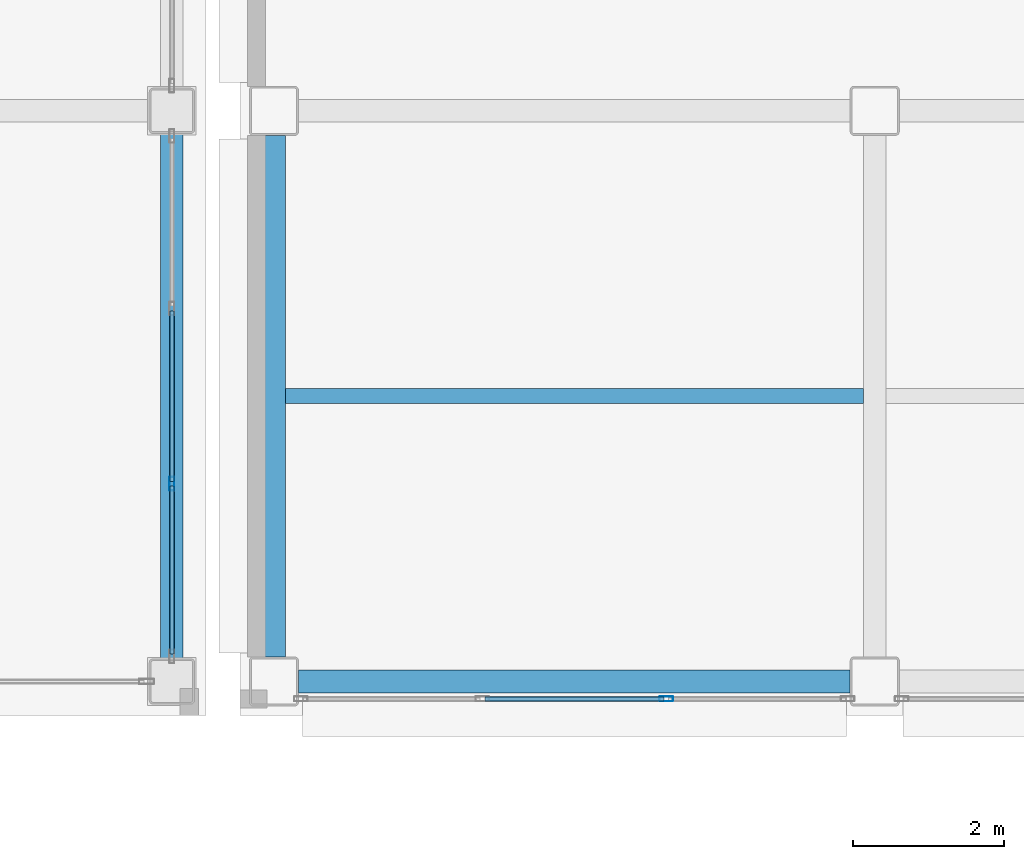
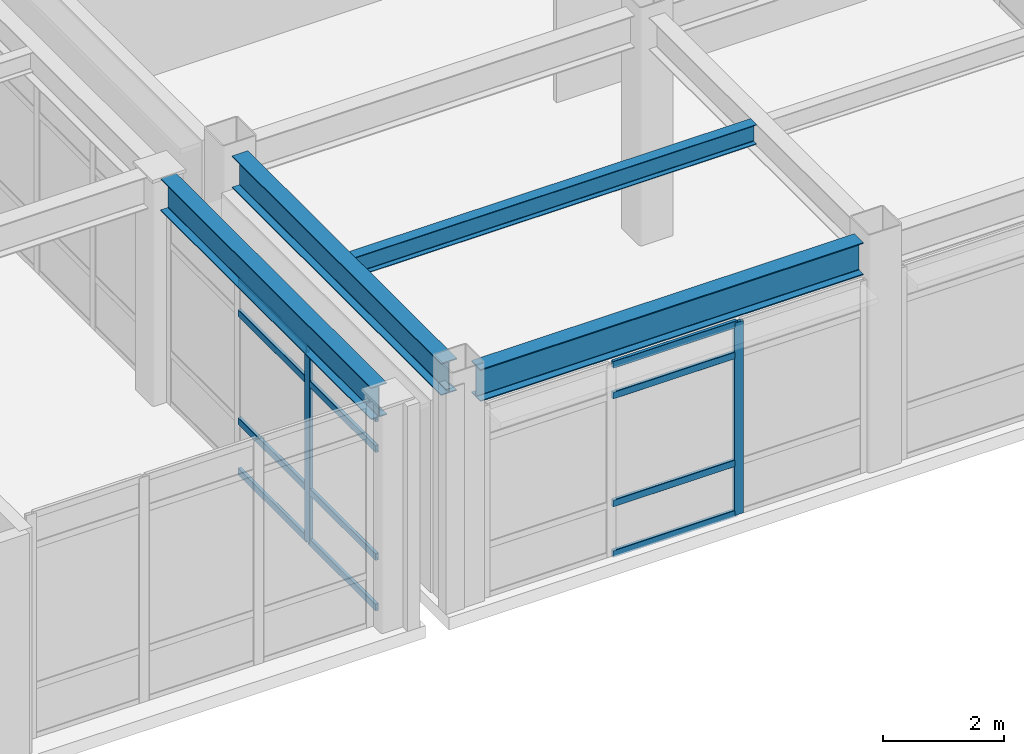
# One storey, part 16 of 172: 14 members, 4 beams, 2 elements without a shape of their own.
"""IFC4 building model written with IfcOpenShell, lengths in metres."""

from ifc_helpers import new_model, si_unit, direction, frame, origin, origin_2d, place, context, subcontext, project, spatial, hollow_rectangle, i_section, extrude, material, layer, layer_set, material_profile, profile_set, type_object, element, aggregate, save


model = new_model("IFC4")

# Units and contexts
model_context = context("Model", 3, precision=1e-05, world=origin(), true_north=direction((0.0, 1.0)))
body_context = subcontext(model_context, "Body", "Model", "MODEL_VIEW")
ifc_project = project(units=[si_unit("LENGTHUNIT", "METRE"), si_unit("AREAUNIT", "SQUARE_METRE"), si_unit("VOLUMEUNIT", "CUBIC_METRE"), si_unit("PLANEANGLEUNIT", "RADIAN"), si_unit("MASSUNIT", "GRAM", prefix="KILO")], contexts=[model_context])

# Site, building, storey
site_placement = place(None, origin())
site = spatial("IfcSite", under=ifc_project, at=site_placement, CompositionType="ELEMENT")
building_placement = place(site_placement, origin())
building = spatial("IfcBuilding", under=site, at=building_placement, Name="Kazehara Bluff Congress Hotel", CompositionType="ELEMENT")
storey_placement = place(building_placement, frame((0.0, 0.0, 5.39990234375)))
storey = spatial("IfcBuildingStorey", under=building, at=storey_placement, Name="L01", CompositionType="ELEMENT", Elevation=5.39990234375)

# Curtain wall, member
ifc_material_1 = material(Name="Anodised aluminium", Category="aluminium")
ifc_layer_1 = layer(ifc_material_1, 0.159912109375)
ifc_layer_set_1 = layer_set([ifc_layer_1], Name="Anodised aluminium")
curtain_wall_type_1 = type_object("IfcCurtainWallType", Name="TP-CW-33", PredefinedType="NOTDEFINED", material=ifc_layer_set_1)
curtain_wall_1_placement = place(storey_placement, origin())
curtain_wall_1 = element("IfcCurtainWall", 1, at=curtain_wall_1_placement, inside=storey, type_object=curtain_wall_type_1, Name="L01 curtain wall CW-33 CW-V2-L01-X5835-75", PredefinedType="NOTDEFINED")
ifc_material_2 = material(Name="Anodised aluminium", Category="aluminium")
ifc_material_profile_1 = material_profile(ifc_material_2, hollow_rectangle(XDim=0.06494140625, YDim=0.179931640625, WallThickness=0.00390625, InnerFilletRadius=0.00390625, OuterFilletRadius=0.008056640625, at=origin_2d()))
ifc_profile_set_1 = profile_set([ifc_material_profile_1], Name="Anodised aluminium")
member_type_1 = type_object("IfcMemberType", Name="TP-CWM-02", PredefinedType="MULLION", material=ifc_profile_set_1)
member_1_placement = place(storey_placement, frame((58.35009765625, 3.066650390625, 0.0), z_axis=(0.0, 0.0, 1.0), x_axis=(-1.0, 0.0, 0.0)))
member_1 = element("IfcMember", 2, at=member_1_placement, type_object=member_type_1, Name="CW-33 mullion 2", PredefinedType="MULLION", context=body_context, shape_type="SweptSolid", body=[
    extrude(hollow_rectangle(XDim=0.06494140625, YDim=0.179931640625, WallThickness=0.00390625, InnerFilletRadius=0.00390625, OuterFilletRadius=0.008056640625, at=origin_2d()), origin(), (0.0, 0.0, 1.0), 3.875),
])

ifc_material_3 = material(Name="Anodised aluminium", Category="aluminium")
ifc_layer_2 = layer(ifc_material_3, 0.159912109375)
ifc_layer_set_2 = layer_set([ifc_layer_2], Name="Anodised aluminium")
curtain_wall_type_2 = type_object("IfcCurtainWallType", Name="TP-CW-80", PredefinedType="NOTDEFINED", material=ifc_layer_set_2)
curtain_wall_2_placement = place(storey_placement, origin())
curtain_wall_2 = element("IfcCurtainWall", 3, at=curtain_wall_2_placement, inside=storey, type_object=curtain_wall_type_2, Name="L01 curtain wall CW-80 CW-ENC-V4-L01-6368-22", PredefinedType="NOTDEFINED")
member_2_placement = place(storey_placement, frame((64.8916015625, 0.219970703125, 0.0), z_axis=(0.0, 0.0, 1.0), x_axis=(0.0, -1.0, 0.0)))
member_2 = element("IfcMember", 4, at=member_2_placement, type_object=member_type_1, Name="CW-80 mullion 2", PredefinedType="MULLION", context=body_context, shape_type="SweptSolid", body=[
    extrude(hollow_rectangle(XDim=0.06494140625, YDim=0.179931640625, WallThickness=0.00390625, InnerFilletRadius=0.00390625, OuterFilletRadius=0.008056640625, at=origin_2d()), origin(), (0.0, 0.0, 1.0), 3.875),
])

# Member
ifc_material_4 = material(Name="Anodised aluminium", Category="aluminium")
ifc_material_profile_2 = material_profile(ifc_material_4, hollow_rectangle(XDim=0.06494140625, YDim=0.139892578125, WallThickness=0.00390625, InnerFilletRadius=0.00390625, OuterFilletRadius=0.008056640625, at=origin_2d()))
ifc_profile_set_2 = profile_set([ifc_material_profile_2], Name="Anodised aluminium")
member_type_2 = type_object("IfcMemberType", Name="TP-CWT-02", PredefinedType="USERDEFINED", material=ifc_profile_set_2)
member_3_placement = place(storey_placement, frame((58.35009765625, 0.81494140625, 0.03271484375), z_axis=(0.0, 1.0, 0.0), x_axis=(-1.0, 0.0, 0.0)))
member_3 = element("IfcMember", 5, at=member_3_placement, type_object=member_type_2, Name="CW-33 transom 1.1", ObjectType="TRANSOM", PredefinedType="USERDEFINED", context=body_context, shape_type="SweptSolid", body=[
    extrude(hollow_rectangle(XDim=0.06494140625, YDim=0.139892578125, WallThickness=0.00390625, InnerFilletRadius=0.00390625, OuterFilletRadius=0.008056640625, at=origin_2d()), origin(), (0.0, 0.0, 1.0), 2.21923828125),
])

member_4_placement = place(storey_placement, frame((58.35009765625, 0.81494140625, 1.050048828125), z_axis=(0.0, 1.0, 0.0), x_axis=(-1.0, 0.0, 0.0)))
member_4 = element("IfcMember", 6, at=member_4_placement, type_object=member_type_2, Name="CW-33 transom 1.2", ObjectType="TRANSOM", PredefinedType="USERDEFINED", context=body_context, shape_type="SweptSolid", body=[
    extrude(hollow_rectangle(XDim=0.06494140625, YDim=0.139892578125, WallThickness=0.00390625, InnerFilletRadius=0.00390625, OuterFilletRadius=0.008056640625, at=origin_2d()), origin(), (0.0, 0.0, 1.0), 2.21923828125),
])

member_5_placement = place(storey_placement, frame((58.35009765625, 0.81494140625, 3.22509765625), z_axis=(0.0, 1.0, 0.0), x_axis=(-1.0, 0.0, 0.0)))
member_5 = element("IfcMember", 7, at=member_5_placement, type_object=member_type_2, Name="CW-33 transom 1.3", ObjectType="TRANSOM", PredefinedType="USERDEFINED", context=body_context, shape_type="SweptSolid", body=[
    extrude(hollow_rectangle(XDim=0.06494140625, YDim=0.139892578125, WallThickness=0.00390625, InnerFilletRadius=0.00390625, OuterFilletRadius=0.008056640625, at=origin_2d()), origin(), (0.0, 0.0, 1.0), 2.21923828125),
])

member_6_placement = place(storey_placement, frame((58.35009765625, 0.81494140625, 3.842529296875), z_axis=(0.0, 1.0, 0.0), x_axis=(-1.0, 0.0, 0.0)))
member_6 = element("IfcMember", 8, at=member_6_placement, type_object=member_type_2, Name="CW-33 transom 1.4", ObjectType="TRANSOM", PredefinedType="USERDEFINED", context=body_context, shape_type="SweptSolid", body=[
    extrude(hollow_rectangle(XDim=0.06494140625, YDim=0.139892578125, WallThickness=0.00390625, InnerFilletRadius=0.00390625, OuterFilletRadius=0.008056640625, at=origin_2d()), origin(), (0.0, 0.0, 1.0), 2.21923828125),
])

member_7_placement = place(storey_placement, frame((58.35009765625, 3.09912109375, 0.03271484375), z_axis=(0.0, 1.0, 0.0), x_axis=(-1.0, 0.0, 0.0)))
member_7 = element("IfcMember", 9, at=member_7_placement, type_object=member_type_2, Name="CW-33 transom 2.1", ObjectType="TRANSOM", PredefinedType="USERDEFINED", context=body_context, shape_type="SweptSolid", body=[
    extrude(hollow_rectangle(XDim=0.06494140625, YDim=0.139892578125, WallThickness=0.00390625, InnerFilletRadius=0.00390625, OuterFilletRadius=0.008056640625, at=origin_2d()), origin(), (0.0, 0.0, 1.0), 2.251708984375),
])

member_8_placement = place(storey_placement, frame((58.35009765625, 3.09912109375, 1.050048828125), z_axis=(0.0, 1.0, 0.0), x_axis=(-1.0, 0.0, 0.0)))
member_8 = element("IfcMember", 10, at=member_8_placement, type_object=member_type_2, Name="CW-33 transom 2.2", ObjectType="TRANSOM", PredefinedType="USERDEFINED", context=body_context, shape_type="SweptSolid", body=[
    extrude(hollow_rectangle(XDim=0.06494140625, YDim=0.139892578125, WallThickness=0.00390625, InnerFilletRadius=0.00390625, OuterFilletRadius=0.008056640625, at=origin_2d()), origin(), (0.0, 0.0, 1.0), 2.251708984375),
])

member_9_placement = place(storey_placement, frame((58.35009765625, 3.09912109375, 3.22509765625), z_axis=(0.0, 1.0, 0.0), x_axis=(-1.0, 0.0, 0.0)))
member_9 = element("IfcMember", 11, at=member_9_placement, type_object=member_type_2, Name="CW-33 transom 2.3", ObjectType="TRANSOM", PredefinedType="USERDEFINED", context=body_context, shape_type="SweptSolid", body=[
    extrude(hollow_rectangle(XDim=0.06494140625, YDim=0.139892578125, WallThickness=0.00390625, InnerFilletRadius=0.00390625, OuterFilletRadius=0.008056640625, at=origin_2d()), origin(), (0.0, 0.0, 1.0), 2.251708984375),
])

member_10_placement = place(storey_placement, frame((58.35009765625, 3.09912109375, 3.842529296875), z_axis=(0.0, 1.0, 0.0), x_axis=(-1.0, 0.0, 0.0)))
member_10 = element("IfcMember", 12, at=member_10_placement, type_object=member_type_2, Name="CW-33 transom 2.4", ObjectType="TRANSOM", PredefinedType="USERDEFINED", context=body_context, shape_type="SweptSolid", body=[
    extrude(hollow_rectangle(XDim=0.06494140625, YDim=0.139892578125, WallThickness=0.00390625, InnerFilletRadius=0.00390625, OuterFilletRadius=0.008056640625, at=origin_2d()), origin(), (0.0, 0.0, 1.0), 2.251708984375),
])

aggregate(curtain_wall_1, [member_1, member_3, member_4, member_5, member_6, member_7, member_8, member_9, member_10])

member_11_placement = place(storey_placement, frame((64.859130859375, 0.219970703125, 0.03271484375), z_axis=(-1.0, 0.0, 0.0), x_axis=(0.0, -1.0, 0.0)))
member_11 = element("IfcMember", 13, at=member_11_placement, type_object=member_type_2, Name="CW-80 transom 2.1", ObjectType="TRANSOM", PredefinedType="USERDEFINED", context=body_context, shape_type="SweptSolid", body=[
    extrude(hollow_rectangle(XDim=0.06494140625, YDim=0.139892578125, WallThickness=0.00390625, InnerFilletRadius=0.00390625, OuterFilletRadius=0.008056640625, at=origin_2d()), origin(), (0.0, 0.0, 1.0), 2.368408203125),
])

member_12_placement = place(storey_placement, frame((64.859130859375, 0.219970703125, 1.050048828125), z_axis=(-1.0, 0.0, 0.0), x_axis=(0.0, -1.0, 0.0)))
member_12 = element("IfcMember", 14, at=member_12_placement, type_object=member_type_2, Name="CW-80 transom 2.2", ObjectType="TRANSOM", PredefinedType="USERDEFINED", context=body_context, shape_type="SweptSolid", body=[
    extrude(hollow_rectangle(XDim=0.06494140625, YDim=0.139892578125, WallThickness=0.00390625, InnerFilletRadius=0.00390625, OuterFilletRadius=0.008056640625, at=origin_2d()), origin(), (0.0, 0.0, 1.0), 2.368408203125),
])

member_13_placement = place(storey_placement, frame((64.859130859375, 0.219970703125, 3.22509765625), z_axis=(-1.0, 0.0, 0.0), x_axis=(0.0, -1.0, 0.0)))
member_13 = element("IfcMember", 15, at=member_13_placement, type_object=member_type_2, Name="CW-80 transom 2.3", ObjectType="TRANSOM", PredefinedType="USERDEFINED", context=body_context, shape_type="SweptSolid", body=[
    extrude(hollow_rectangle(XDim=0.06494140625, YDim=0.139892578125, WallThickness=0.00390625, InnerFilletRadius=0.00390625, OuterFilletRadius=0.008056640625, at=origin_2d()), origin(), (0.0, 0.0, 1.0), 2.368408203125),
])

member_14_placement = place(storey_placement, frame((64.859130859375, 0.219970703125, 3.842529296875), z_axis=(-1.0, 0.0, 0.0), x_axis=(0.0, -1.0, 0.0)))
member_14 = element("IfcMember", 16, at=member_14_placement, type_object=member_type_2, Name="CW-80 transom 2.4", ObjectType="TRANSOM", PredefinedType="USERDEFINED", context=body_context, shape_type="SweptSolid", body=[
    extrude(hollow_rectangle(XDim=0.06494140625, YDim=0.139892578125, WallThickness=0.00390625, InnerFilletRadius=0.00390625, OuterFilletRadius=0.008056640625, at=origin_2d()), origin(), (0.0, 0.0, 1.0), 2.368408203125),
])

aggregate(curtain_wall_2, [member_2, member_11, member_12, member_13, member_14])

# Beams
ifc_material_5 = material(Name="Steel SN490B", Category="steel")
ifc_material_profile_3 = material_profile(ifc_material_5, i_section(OverallWidth=0.300048828125, OverallDepth=0.64990234375, WebThickness=0.011962890625, FlangeThickness=0.02001953125, FilletRadius=0.012939453125, at=origin_2d()))
ifc_profile_set_3 = profile_set([ifc_material_profile_3], Name="Steel SN490B")
beam_type_1 = type_object("IfcBeamType", Name="TP-G-03", PredefinedType="BEAM", material=ifc_profile_set_3)
beam_1_placement = place(storey_placement, frame((58.35009765625, 0.75, 4.22509765625), z_axis=(0.0, 1.0, 0.0), x_axis=(-1.0, 0.0, 0.0)))
element("IfcBeam", 17, at=beam_1_placement, inside=storey, type_object=beam_type_1, Name="L01 girder G-03 65", PredefinedType="BEAM", context=body_context, shape_type="SweptSolid", body=[
    extrude(i_section(OverallWidth=0.300048828125, OverallDepth=0.64990234375, WebThickness=0.011962890625, FlangeThickness=0.02001953125, FilletRadius=0.012939453125, at=origin_2d()), origin(), (0.0, 0.0, 1.0), 6.949951171875),
])
beam_2_placement = place(storey_placement, frame((59.699951171875, 0.77490234375, 4.22509765625), z_axis=(0.0, 1.0, 0.0), x_axis=(-1.0, 0.0, 0.0)))
element("IfcBeam", 18, at=beam_2_placement, inside=storey, type_object=beam_type_1, Name="L01 girder G-03 148", PredefinedType="BEAM", context=body_context, shape_type="SweptSolid", body=[
    extrude(i_section(OverallWidth=0.300048828125, OverallDepth=0.64990234375, WebThickness=0.011962890625, FlangeThickness=0.02001953125, FilletRadius=0.012939453125, at=origin_2d()), origin(), (0.0, 0.0, 1.0), 6.900146484375),
])
beam_3_placement = place(storey_placement, frame((60.02490234375, 0.449951171875, 4.22509765625), z_axis=(1.0, 0.0, 0.0), x_axis=(0.0, 1.0, 0.0)))
element("IfcBeam", 19, at=beam_3_placement, inside=storey, type_object=beam_type_1, Name="L01 girder G-03 185", PredefinedType="BEAM", context=body_context, shape_type="SweptSolid", body=[
    extrude(i_section(OverallWidth=0.300048828125, OverallDepth=0.64990234375, WebThickness=0.011962890625, FlangeThickness=0.02001953125, FilletRadius=0.012939453125, at=origin_2d()), origin(), (0.0, 0.0, 1.0), 7.300048828125),
])
ifc_material_6 = material(Name="Steel SN400B", Category="steel")
ifc_material_profile_4 = material_profile(ifc_material_6, i_section(OverallWidth=0.199951171875, OverallDepth=0.39990234375, WebThickness=0.008056640625, FlangeThickness=0.012939453125, FilletRadius=0.012939453125, at=origin_2d()))
ifc_profile_set_4 = profile_set([ifc_material_profile_4], Name="Steel SN400B")
beam_type_2 = type_object("IfcBeamType", Name="TP-J-03", PredefinedType="JOIST", material=ifc_profile_set_4)
beam_4_placement = place(storey_placement, frame((59.85009765625, 4.22509765625, 4.35009765625), z_axis=(1.0, 0.0, 0.0), x_axis=(0.0, 1.0, 0.0)))
element("IfcBeam", 20, at=beam_4_placement, inside=storey, type_object=beam_type_2, Name="L01 secondary joist J-03 33", PredefinedType="JOIST", context=body_context, shape_type="SweptSolid", body=[
    extrude(i_section(OverallWidth=0.199951171875, OverallDepth=0.39990234375, WebThickness=0.008056640625, FlangeThickness=0.012939453125, FilletRadius=0.012939453125, at=origin_2d()), origin(), (0.0, 0.0, 1.0), 7.64990234375),
])

save(model, "model.ifc")
